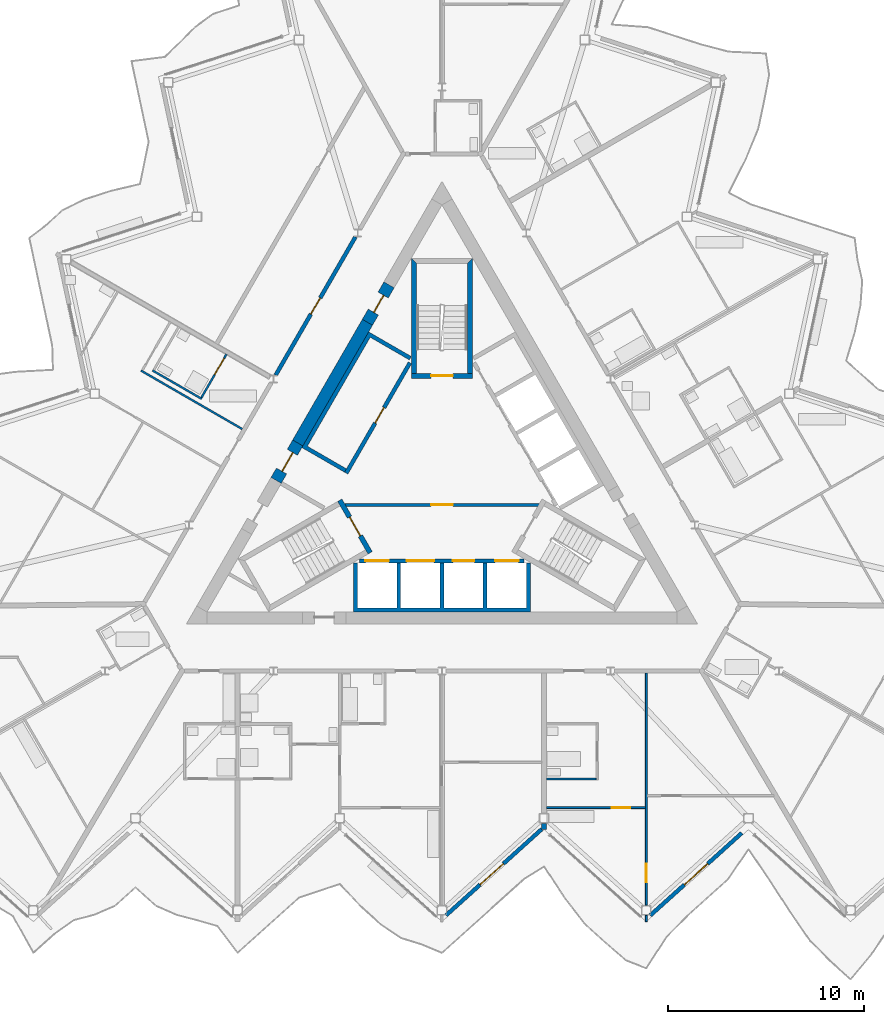
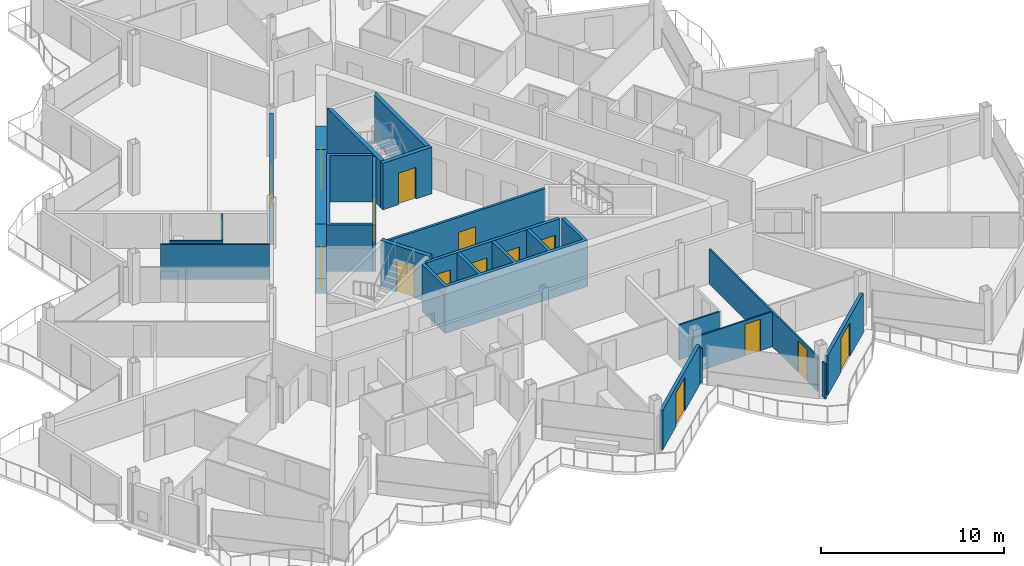
# One storey, part 14 of 26: 23 walls, 16 doors, 16 openings.
"""IFC4 building model written with IfcOpenShell, lengths in metres."""

from ifc_helpers import new_model, si_unit, direction, frame, frame_2d, origin, place, context, subcontext, project, spatial, polyline, rectangle, outline, extrude, material, layer, layer_set, type_object, element, fill, save


model = new_model("IFC4")

# Units and contexts
model_context = context("Model", 3, precision=1e-05, world=origin(), true_north=direction((0.0, 1.0)))
body_context = subcontext(model_context, "Body", "Model", "MODEL_VIEW")
ifc_project = project(units=[si_unit("LENGTHUNIT", "METRE"), si_unit("AREAUNIT", "SQUARE_METRE"), si_unit("VOLUMEUNIT", "CUBIC_METRE"), si_unit("PLANEANGLEUNIT", "RADIAN"), si_unit("MASSUNIT", "GRAM", prefix="KILO")], contexts=[model_context])

# Site, building, storey
site_placement = place(None, origin())
site = spatial("IfcSite", under=ifc_project, at=site_placement, CompositionType="ELEMENT")
building_placement = place(site_placement, origin())
building = spatial("IfcBuilding", under=site, at=building_placement, Name="Cormorant Prow Tower", CompositionType="ELEMENT")
storey_placement = place(building_placement, frame((0.0, 0.0, 371.199951171875)))
storey = spatial("IfcBuildingStorey", under=building, at=storey_placement, Name="L83", CompositionType="ELEMENT", Elevation=371.199951171875)

# Wall, opening, door
ifc_material_1 = material(Name="Gypsum board partition")
ifc_layer_1 = layer(ifc_material_1, 0.14990234375)
ifc_layer_set_1 = layer_set([ifc_layer_1], Name="Gypsum board partition")
wall_type_1 = type_object("IfcWallType", Name="Core partition 150", PredefinedType="PARTITIONING", material=ifc_layer_set_1)
wall_1_placement = place(storey_placement, frame((-4.941162109375, -1.449951171875, 0.0), z_axis=(0.0, 0.0, 1.0), x_axis=(1.0, 0.0, 0.0)))
wall_1 = element("IfcWall", 1, at=wall_1_placement, inside=storey, type_object=wall_type_1, Name="Firefighting lobby partition", PredefinedType="PARTITIONING", context=body_context, shape_type="SweptSolid", body=[
    extrude(rectangle(XDim=9.88232421875, YDim=0.14990234375, at=frame_2d((4.941162109375, 0.0))), origin(), (0.0, 0.0, 1.0), 3.10009765625),
])
opening_1_placement = place(wall_1_placement, frame((4.39111328125, 0.0, 0.0)))
opening_1 = element("IfcOpeningElement", 2, at=opening_1_placement, cuts=wall_1, Name="Opening L83-C10", PredefinedType="OPENING", context=body_context, shape_type="SweptSolid", body=[
    extrude(rectangle(XDim=1.10009765625, YDim=2.10009765625, at=frame_2d((0.550048828125, 1.050048828125))), frame((0.0, 0.0849609375, 0.0), z_axis=(0.0, -1.0, 0.0), x_axis=(1.0, 0.0, 0.0)), (0.0, 0.0, 1.0), 0.169921875),
])
ifc_material_2 = material(Name="Painted steel", Category="steel")
door_type_1 = type_object("IfcDoorType", Name="Firefighting lobby door 1100x2100", OperationType="NOTDEFINED", PredefinedType="DOOR", material=ifc_material_2)
door_1_placement = place(opening_1_placement, origin())
door_1 = element("IfcDoor", 3, at=door_1_placement, inside=storey, type_object=door_type_1, Name="Firefighting lobby door", OperationType="SINGLE_SWING_RIGHT", OverallHeight=2.10009765625, OverallWidth=1.10009765625, PredefinedType="DOOR", context=body_context, shape_type="SweptSolid", body=[
    extrude(rectangle(XDim=1.10009765625, YDim=2.10009765625, at=frame_2d((0.550048828125, 1.050048828125))), frame((0.0, 0.02490234375, 0.0), z_axis=(0.0, -1.0, 0.0), x_axis=(1.0, 0.0, 0.0)), (0.0, 0.0, 1.0), 0.050048828125),
])
fill(opening_1, door_1)

# Wall
ifc_material_3 = material(Name="Concrete 8000 psi", Category="concrete")
ifc_layer_2 = layer(ifc_material_3, 0.60009765625)
ifc_layer_set_2 = layer_set([ifc_layer_2], Name="Concrete 8000 psi")
wall_type_2 = type_object("IfcWallType", Name="Core shear wall 600", PredefinedType="SHEAR", material=ifc_layer_set_2)
wall_2_placement = place(storey_placement, frame((-3.794189453125, 7.839599609375, 0.0), z_axis=(0.0, 0.0, 1.0), x_axis=(-0.499974747889, -0.866039982607, 0.0)))
element("IfcWall", 4, at=wall_2_placement, inside=storey, type_object=wall_type_2, Name="Core wall", PredefinedType="SHEAR", context=body_context, shape_type="SweptSolid", body=[
    extrude(rectangle(XDim=7.092041015625, YDim=0.60009765625, at=frame_2d((3.5458984375, 0.0))), origin(), (0.0, 0.0, 1.0), 3.10009765625),
])

# Wall, opening, door
wall_3_placement = place(storey_placement, frame((-2.694091796875, 9.744873046875, 0.0), z_axis=(0.0, 0.0, 1.0), x_axis=(-0.50002983664, -0.866008176907, 0.0)))
wall_3 = element("IfcWall", 5, at=wall_3_placement, inside=storey, type_object=wall_type_2, Name="Core wall door panel", PredefinedType="SHEAR", context=body_context, shape_type="SweptSolid", body=[
    extrude(rectangle(XDim=2.199951171875, YDim=0.60009765625, at=frame_2d((1.10009765625, 0.0))), origin(), (0.0, 0.0, 1.0), 3.10009765625),
])
opening_2_placement = place(wall_3_placement, frame((0.60009765625, 0.0, 0.0)))
opening_2 = element("IfcOpeningElement", 6, at=opening_2_placement, cuts=wall_3, Name="Opening L83-C17", PredefinedType="OPENING", context=body_context, shape_type="SweptSolid", body=[
    extrude(rectangle(XDim=1.0, YDim=2.10009765625, at=frame_2d((0.5, 1.050048828125))), frame((0.0, 0.31005859375, 0.0), z_axis=(0.0, -1.0, 0.0), x_axis=(1.0, 0.0, 0.0)), (0.0, 0.0, 1.0), 0.6201171875),
])
ifc_material_4 = material(Name="Painted steel", Category="steel")
door_type_2 = type_object("IfcDoorType", Name="Service door 1000x2100", OperationType="NOTDEFINED", PredefinedType="DOOR", material=ifc_material_4)
door_2_placement = place(opening_2_placement, origin())
door_2 = element("IfcDoor", 7, at=door_2_placement, inside=storey, type_object=door_type_2, Name="Core door, Refuse store", OperationType="SINGLE_SWING_LEFT", OverallHeight=2.10009765625, OverallWidth=1.0, PredefinedType="DOOR", context=body_context, shape_type="SweptSolid", body=[
    extrude(rectangle(XDim=1.0, YDim=2.10009765625, at=frame_2d((0.5, 1.050048828125))), frame((0.0, 0.05517578125, 0.0), z_axis=(0.0, -1.0, 0.0), x_axis=(1.0, 0.0, 0.0)), (0.0, 0.0, 1.0), 0.050048828125),
])
fill(opening_2, door_2)

wall_4_placement = place(storey_placement, frame((-7.340087890625, 1.697509765625, 0.0), z_axis=(0.0, 0.0, 1.0), x_axis=(-0.50002983664, -0.866008176907, 0.0)))
wall_4 = element("IfcWall", 8, at=wall_4_placement, inside=storey, type_object=wall_type_2, Name="Core wall door panel", PredefinedType="SHEAR", context=body_context, shape_type="SweptSolid", body=[
    extrude(rectangle(XDim=2.199951171875, YDim=0.60009765625, at=frame_2d((1.10009765625, 0.0))), origin(), (0.0, 0.0, 1.0), 3.10009765625),
])
opening_3_placement = place(wall_4_placement, frame((0.550048828125, 0.0, 0.0)))
opening_3 = element("IfcOpeningElement", 9, at=opening_3_placement, cuts=wall_4, Name="Opening L83-C18", PredefinedType="OPENING", context=body_context, shape_type="SweptSolid", body=[
    extrude(rectangle(XDim=1.10009765625, YDim=2.10009765625, at=frame_2d((0.550048828125, 1.050048828125))), frame((0.0, 0.31005859375, 0.0), z_axis=(0.0, -1.0, 0.0), x_axis=(1.0, 0.0, 0.0)), (0.0, 0.0, 1.0), 0.6201171875),
])
ifc_material_5 = material(Name="Painted steel", Category="steel")
door_type_3 = type_object("IfcDoorType", Name="Core door 1100x2100", OperationType="NOTDEFINED", PredefinedType="DOOR", material=ifc_material_5)
door_3_placement = place(opening_3_placement, origin())
door_3 = element("IfcDoor", 10, at=door_3_placement, inside=storey, type_object=door_type_3, Name="Core door, lift lobby", OperationType="SINGLE_SWING_RIGHT", OverallHeight=2.10009765625, OverallWidth=1.10009765625, PredefinedType="DOOR", context=body_context, shape_type="SweptSolid", body=[
    extrude(rectangle(XDim=1.10009765625, YDim=2.10009765625, at=frame_2d((0.550048828125, 1.050048828125))), frame((0.0, 0.05517578125, 0.0), z_axis=(0.0, -1.0, 0.0), x_axis=(1.0, 0.0, 0.0)), (0.0, 0.0, 1.0), 0.050048828125),
])
fill(opening_3, door_3)

ifc_material_6 = material(Name="Gypsum board corridor wall")
ifc_layer_3 = layer(ifc_material_6, 0.199951171875)
ifc_layer_set_3 = layer_set([ifc_layer_3], Name="Gypsum board corridor wall")
wall_type_3 = type_object("IfcWallType", Name="Corridor wall 200", PredefinedType="PARTITIONING", material=ifc_layer_set_3)
wall_5_placement = place(storey_placement, frame((-8.464599609375, 5.14990234375, 0.0), z_axis=(0.0, 0.0, 1.0), x_axis=(0.499992155518, 0.866029932751, 0.0)))
wall_5 = element("IfcWall", 11, at=wall_5_placement, inside=storey, type_object=wall_type_3, Name="Corridor wall", PredefinedType="PARTITIONING", context=body_context, shape_type="SweptSolid", body=[
    extrude(rectangle(XDim=8.123291015625, YDim=0.199951171875, at=frame_2d((4.0615234375, 0.0))), origin(), (0.0, 0.0, 1.0), 3.10009765625),
])
opening_4_placement = place(wall_5_placement, frame((3.586669921875, 0.0, 0.0)))
opening_4 = element("IfcOpeningElement", 12, at=opening_4_placement, cuts=wall_5, Name="Opening L83-F43", PredefinedType="OPENING", context=body_context, shape_type="SweptSolid", body=[
    extrude(rectangle(XDim=0.949951171875, YDim=2.10009765625, at=frame_2d((0.47509765625, 1.050048828125))), frame((0.0, 0.10986328125, 0.0), z_axis=(0.0, -1.0, 0.0), x_axis=(1.0, 0.0, 0.0)), (0.0, 0.0, 1.0), 0.219970703125),
])
ifc_material_7 = material(Name="Timber door leaf", Category="wood")
door_type_4 = type_object("IfcDoorType", Name="Store door 950x2100", OperationType="NOTDEFINED", PredefinedType="DOOR", material=ifc_material_7)
door_4_placement = place(opening_4_placement, origin())
door_4 = element("IfcDoor", 13, at=door_4_placement, inside=storey, type_object=door_type_4, Name="Bicycle store door", OperationType="SINGLE_SWING_RIGHT", OverallHeight=2.10009765625, OverallWidth=0.949951171875, PredefinedType="DOOR", context=body_context, shape_type="SweptSolid", body=[
    extrude(rectangle(XDim=0.949951171875, YDim=2.10009765625, at=frame_2d((0.47509765625, 1.050048828125))), frame((0.0, 0.02490234375, 0.0), z_axis=(0.0, -1.0, 0.0), x_axis=(1.0, 0.0, 0.0)), (0.0, 0.0, 1.0), 0.050048828125),
])
fill(opening_4, door_4)

ifc_material_8 = material(Name="Gypsum board partition")
ifc_layer_4 = layer(ifc_material_8, 0.10009765625)
ifc_layer_set_4 = layer_set([ifc_layer_4], Name="Gypsum board partition")
wall_type_4 = type_object("IfcWallType", Name="Internal partition 100", PredefinedType="PARTITIONING", material=ifc_layer_set_4)
wall_6_placement = place(storey_placement, frame((10.39990234375, -21.827880859375, 0.0), z_axis=(0.0, 0.0, 1.0), x_axis=(0.0, 1.0, 0.0)))
wall_6 = element("IfcWall", 14, at=wall_6_placement, inside=storey, type_object=wall_type_4, Name="Internal partition", PredefinedType="PARTITIONING", context=body_context, shape_type="SweptSolid", body=[
    extrude(rectangle(XDim=11.822265625, YDim=0.10009765625, at=frame_2d((5.9111328125, 0.0))), origin(), (0.0, 0.0, 1.0), 2.330078125),
])
opening_5_placement = place(wall_6_placement, frame((1.15625, 0.0, 0.0)))
opening_5 = element("IfcOpeningElement", 15, at=opening_5_placement, cuts=wall_6, Name="Opening L83-F14", PredefinedType="OPENING", context=body_context, shape_type="SweptSolid", body=[
    extrude(rectangle(XDim=0.949951171875, YDim=2.10009765625, at=frame_2d((0.47509765625, 1.050048828125))), frame((0.0, 0.06005859375, 0.0), z_axis=(0.0, -1.0, 0.0), x_axis=(1.0, 0.0, 0.0)), (0.0, 0.0, 1.0), 0.1201171875),
])
ifc_material_9 = material(Name="Timber door leaf", Category="wood")
door_type_5 = type_object("IfcDoorType", Name="Bathroom door 950x2100", OperationType="NOTDEFINED", PredefinedType="DOOR", material=ifc_material_9)
door_5_placement = place(opening_5_placement, origin())
door_5 = element("IfcDoor", 16, at=door_5_placement, inside=storey, type_object=door_type_5, Name="Kitchen door", OperationType="SINGLE_SWING_RIGHT", OverallHeight=2.10009765625, OverallWidth=0.949951171875, PredefinedType="DOOR", context=body_context, shape_type="SweptSolid", body=[
    extrude(rectangle(XDim=0.949951171875, YDim=2.10009765625, at=frame_2d((0.47509765625, 1.050048828125))), frame((0.0, 0.02490234375, 0.0), z_axis=(0.0, -1.0, 0.0), x_axis=(1.0, 0.0, 0.0)), (0.0, 0.0, 1.0), 0.050048828125),
])
fill(opening_5, door_5)

# Wall
wall_7_placement = place(storey_placement, frame((-15.31787109375, 5.379638671875, 0.0), z_axis=(0.0, 0.0, 1.0), x_axis=(0.866035260786, -0.499982926783, 0.0)))
element("IfcWall", 17, at=wall_7_placement, inside=storey, type_object=wall_type_4, Name="Internal partition", PredefinedType="PARTITIONING", context=body_context, shape_type="SweptSolid", body=[
    extrude(rectangle(XDim=5.949951171875, YDim=0.10009765625, at=frame_2d((2.97509765625, 0.0))), origin(), (0.0, 0.0, 1.0), 2.330078125),
])

# Wall, opening, door
wall_8_placement = place(storey_placement, frame((5.324951171875, -16.863037109375, 0.0), z_axis=(0.0, 0.0, 1.0), x_axis=(1.0, 0.0, 0.0)))
wall_8 = element("IfcWall", 18, at=wall_8_placement, inside=storey, type_object=wall_type_4, Name="Internal partition", PredefinedType="PARTITIONING", context=body_context, shape_type="SweptSolid", body=[
    extrude(rectangle(XDim=5.025146484375, YDim=0.10009765625, at=frame_2d((2.5126953125, 0.0))), origin(), (0.0, 0.0, 1.0), 2.330078125),
])
opening_6_placement = place(wall_8_placement, frame((3.314208984375, 0.0, 0.0)))
opening_6 = element("IfcOpeningElement", 19, at=opening_6_placement, cuts=wall_8, Name="Opening L83-F13", PredefinedType="OPENING", context=body_context, shape_type="SweptSolid", body=[
    extrude(rectangle(XDim=0.949951171875, YDim=2.10009765625, at=frame_2d((0.47509765625, 1.050048828125))), frame((0.0, 0.06005859375, 0.0), z_axis=(0.0, -1.0, 0.0), x_axis=(1.0, 0.0, 0.0)), (0.0, 0.0, 1.0), 0.1201171875),
])
door_6_placement = place(opening_6_placement, origin())
door_6 = element("IfcDoor", 20, at=door_6_placement, inside=storey, type_object=door_type_5, Name="Living room door", OperationType="SINGLE_SWING_RIGHT", OverallHeight=2.10009765625, OverallWidth=0.949951171875, PredefinedType="DOOR", context=body_context, shape_type="SweptSolid", body=[
    extrude(rectangle(XDim=0.949951171875, YDim=2.10009765625, at=frame_2d((0.47509765625, 1.050048828125))), frame((0.0, 0.02490234375, 0.0), z_axis=(0.0, -1.0, 0.0), x_axis=(1.0, 0.0, 0.0)), (0.0, 0.0, 1.0), 0.050048828125),
])
fill(opening_6, door_6)

# Walls
wall_9_placement = place(storey_placement, frame((-14.73486328125, 5.389404296875, 0.0), z_axis=(0.0, 0.0, 1.0), x_axis=(0.866032775405, -0.499987231761, 0.0)))
element("IfcWall", 21, at=wall_9_placement, inside=storey, type_object=wall_type_4, Name="Internal partition", PredefinedType="PARTITIONING", context=body_context, shape_type="SweptSolid", body=[
    extrude(rectangle(XDim=2.89990234375, YDim=0.10009765625, at=frame_2d((1.449951171875, 0.0))), origin(), (0.0, 0.0, 1.0), 2.330078125),
])
wall_10_placement = place(storey_placement, frame((5.324951171875, -15.405517578125, 0.0), z_axis=(0.0, 0.0, 1.0), x_axis=(1.0, 0.0, 0.0)))
element("IfcWall", 22, at=wall_10_placement, inside=storey, type_object=wall_type_4, Name="Internal partition", PredefinedType="PARTITIONING", context=body_context, shape_type="SweptSolid", body=[
    extrude(rectangle(XDim=2.525146484375, YDim=0.10009765625, at=frame_2d((1.2626953125, 0.0))), origin(), (0.0, 0.0, 1.0), 2.330078125),
])

# Wall, opening, door
wall_11_placement = place(storey_placement, frame((-12.24169921875, 4.0078125, 0.0), z_axis=(0.0, 0.0, 1.0), x_axis=(0.499948979701, 0.866054858364, 0.0)))
wall_11 = element("IfcWall", 23, at=wall_11_placement, inside=storey, type_object=wall_type_4, Name="Internal partition", PredefinedType="PARTITIONING", context=body_context, shape_type="SweptSolid", body=[
    extrude(rectangle(XDim=2.550048828125, YDim=0.10009765625, at=frame_2d((1.27490234375, 0.0))), origin(), (0.0, 0.0, 1.0), 2.330078125),
])
opening_7_placement = place(wall_11_placement, frame((1.35009765625, 0.0, 0.0)))
opening_7 = element("IfcOpeningElement", 24, at=opening_7_placement, cuts=wall_11, Name="Opening L83-F52", PredefinedType="OPENING", context=body_context, shape_type="SweptSolid", body=[
    extrude(rectangle(XDim=0.949951171875, YDim=2.10009765625, at=frame_2d((0.47509765625, 1.050048828125))), frame((0.0, 0.06005859375, 0.0), z_axis=(0.0, -1.0, 0.0), x_axis=(1.0, 0.0, 0.0)), (0.0, 0.0, 1.0), 0.1201171875),
])
door_7_placement = place(opening_7_placement, origin())
door_7 = element("IfcDoor", 25, at=door_7_placement, inside=storey, type_object=door_type_5, Name="Kitchen door", OperationType="SINGLE_SWING_RIGHT", OverallHeight=2.10009765625, OverallWidth=0.949951171875, PredefinedType="DOOR", context=body_context, shape_type="SweptSolid", body=[
    extrude(rectangle(XDim=0.949951171875, YDim=2.10009765625, at=frame_2d((0.47509765625, 1.050048828125))), frame((0.0, 0.02490234375, 0.0), z_axis=(0.0, -1.0, 0.0), x_axis=(1.0, 0.0, 0.0)), (0.0, 0.0, 1.0), 0.050048828125),
])
fill(opening_7, door_7)

# Wall
wall_12_placement = place(storey_placement, frame((10.39990234375, -22.66552734375, 0.0), z_axis=(0.0, 0.0, 1.0), x_axis=(0.0, 1.0, 0.0)))
element("IfcWall", 26, at=wall_12_placement, inside=storey, type_object=wall_type_4, Name="Internal partition", PredefinedType="PARTITIONING", context=body_context, shape_type="SweptSolid", body=[
    extrude(rectangle(XDim=0.317626953125, YDim=0.10009765625, at=frame_2d((0.15869140625, 0.0))), origin(), (0.0, 0.0, 1.0), 2.330078125),
])

# Wall, openings, doors
ifc_material_10 = material(Name="Concrete 5000 psi", Category="concrete")
ifc_layer_5 = layer(ifc_material_10, 0.199951171875)
ifc_layer_set_5 = layer_set([ifc_layer_5], Name="Concrete 5000 psi")
wall_type_5 = type_object("IfcWallType", Name="Lift lobby wall 200", PredefinedType="SOLIDWALL", material=ifc_layer_set_5)
wall_13_placement = place(storey_placement, frame((-4.1865234375, -4.300048828125, 0.0), z_axis=(0.0, 0.0, 1.0), x_axis=(1.0, 0.0, 0.0)))
wall_13 = element("IfcWall", 27, at=wall_13_placement, inside=storey, type_object=wall_type_5, Name="Lift lobby wall, S block", PredefinedType="SOLIDWALL", context=body_context, shape_type="SweptSolid", body=[
    extrude(rectangle(XDim=8.373046875, YDim=0.199951171875, at=frame_2d((4.1865234375, 0.0))), origin(), (0.0, 0.0, 1.0), 3.10009765625),
])
opening_8_placement = place(wall_13_placement, frame((0.28662109375, 0.0, 0.0)))
opening_8 = element("IfcOpeningElement", 28, at=opening_8_placement, cuts=wall_13, Name="Opening L83-C01", PredefinedType="OPENING", context=body_context, shape_type="SweptSolid", body=[
    extrude(rectangle(XDim=1.199951171875, YDim=2.10009765625, at=frame_2d((0.60009765625, 1.050048828125))), frame((0.0, 0.10986328125, 0.0), z_axis=(0.0, -1.0, 0.0), x_axis=(1.0, 0.0, 0.0)), (0.0, 0.0, 1.0), 0.219970703125),
])
opening_9_placement = place(wall_13_placement, frame((2.38671875, 0.0, 0.0)))
opening_9 = element("IfcOpeningElement", 29, at=opening_9_placement, cuts=wall_13, Name="Opening L83-C02", PredefinedType="OPENING", context=body_context, shape_type="SweptSolid", body=[
    extrude(rectangle(XDim=1.39990234375, YDim=2.10009765625, at=frame_2d((0.699951171875, 1.050048828125))), frame((0.0, 0.10986328125, 0.0), z_axis=(0.0, -1.0, 0.0), x_axis=(1.0, 0.0, 0.0)), (0.0, 0.0, 1.0), 0.219970703125),
])
opening_10_placement = place(wall_13_placement, frame((4.736572265625, 0.0, 0.0)))
opening_10 = element("IfcOpeningElement", 30, at=opening_10_placement, cuts=wall_13, Name="Opening L83-C03", PredefinedType="OPENING", context=body_context, shape_type="SweptSolid", body=[
    extrude(rectangle(XDim=1.10009765625, YDim=2.10009765625, at=frame_2d((0.550048828125, 1.050048828125))), frame((0.0, 0.10986328125, 0.0), z_axis=(0.0, -1.0, 0.0), x_axis=(1.0, 0.0, 0.0)), (0.0, 0.0, 1.0), 0.219970703125),
])
opening_11_placement = place(wall_13_placement, frame((6.88671875, 0.0, 0.0)))
opening_11 = element("IfcOpeningElement", 31, at=opening_11_placement, cuts=wall_13, Name="Opening L83-C04", PredefinedType="OPENING", context=body_context, shape_type="SweptSolid", body=[
    extrude(rectangle(XDim=1.199951171875, YDim=2.10009765625, at=frame_2d((0.60009765625, 1.050048828125))), frame((0.0, 0.10986328125, 0.0), z_axis=(0.0, -1.0, 0.0), x_axis=(1.0, 0.0, 0.0)), (0.0, 0.0, 1.0), 0.219970703125),
])
ifc_material_11 = material(Name="Painted steel", Category="steel")
door_type_6 = type_object("IfcDoorType", Name="Firefighting lift landing door 1200x2100", OperationType="SLIDING_TO_LEFT", PredefinedType="DOOR", material=ifc_material_11)
door_8_placement = place(opening_8_placement, origin())
door_8 = element("IfcDoor", 32, at=door_8_placement, inside=storey, type_object=door_type_6, Name="Landing door FL1", OperationType="SLIDING_TO_LEFT", OverallHeight=2.10009765625, OverallWidth=1.199951171875, PredefinedType="DOOR", context=body_context, shape_type="SweptSolid", body=[
    extrude(rectangle(XDim=1.199951171875, YDim=2.10009765625, at=frame_2d((0.60009765625, 1.050048828125))), frame((0.0, 0.02490234375, 0.0), z_axis=(0.0, -1.0, 0.0), x_axis=(1.0, 0.0, 0.0)), (0.0, 0.0, 1.0), 0.050048828125),
])
fill(opening_8, door_8)
door_9_placement = place(opening_11_placement, origin())
door_9 = element("IfcDoor", 33, at=door_9_placement, inside=storey, type_object=door_type_6, Name="Landing door FL2", OperationType="SLIDING_TO_LEFT", OverallHeight=2.10009765625, OverallWidth=1.199951171875, PredefinedType="DOOR", context=body_context, shape_type="SweptSolid", body=[
    extrude(rectangle(XDim=1.199951171875, YDim=2.10009765625, at=frame_2d((0.60009765625, 1.050048828125))), frame((0.0, 0.02490234375, 0.0), z_axis=(0.0, -1.0, 0.0), x_axis=(1.0, 0.0, 0.0)), (0.0, 0.0, 1.0), 0.050048828125),
])
fill(opening_11, door_9)
ifc_material_12 = material(Name="Painted steel", Category="steel")
door_type_7 = type_object("IfcDoorType", Name="Lift landing door 1100x2100", OperationType="SLIDING_TO_LEFT", PredefinedType="DOOR", material=ifc_material_12)
door_10_placement = place(opening_10_placement, origin())
door_10 = element("IfcDoor", 34, at=door_10_placement, inside=storey, type_object=door_type_7, Name="Landing door HR1", OperationType="SLIDING_TO_LEFT", OverallHeight=2.10009765625, OverallWidth=1.10009765625, PredefinedType="DOOR", context=body_context, shape_type="SweptSolid", body=[
    extrude(rectangle(XDim=1.10009765625, YDim=2.10009765625, at=frame_2d((0.550048828125, 1.050048828125))), frame((0.0, 0.02490234375, 0.0), z_axis=(0.0, -1.0, 0.0), x_axis=(1.0, 0.0, 0.0)), (0.0, 0.0, 1.0), 0.050048828125),
])
fill(opening_10, door_10)
ifc_material_13 = material(Name="Painted steel", Category="steel")
door_type_8 = type_object("IfcDoorType", Name="Service lift landing door 1400x2100", OperationType="SLIDING_TO_LEFT", PredefinedType="DOOR", material=ifc_material_13)
door_11_placement = place(opening_9_placement, origin())
door_11 = element("IfcDoor", 35, at=door_11_placement, inside=storey, type_object=door_type_8, Name="Landing door SL1", OperationType="SLIDING_TO_LEFT", OverallHeight=2.10009765625, OverallWidth=1.39990234375, PredefinedType="DOOR", context=body_context, shape_type="SweptSolid", body=[
    extrude(rectangle(XDim=1.39990234375, YDim=2.10009765625, at=frame_2d((0.699951171875, 1.050048828125))), frame((0.0, 0.02490234375, 0.0), z_axis=(0.0, -1.0, 0.0), x_axis=(1.0, 0.0, 0.0)), (0.0, 0.0, 1.0), 0.050048828125),
])
fill(opening_9, door_11)

# Wall, opening, door
wall_14_placement = place(storey_placement, frame((-1.630615234375, 5.775634765625, 0.0), z_axis=(0.0, 0.0, 1.0), x_axis=(-0.499992876559, -0.866029516466, 0.0)))
wall_14 = element("IfcWall", 36, at=wall_14_placement, inside=storey, type_object=wall_type_5, Name="Lift lobby wall, WNW block", PredefinedType="SOLIDWALL", context=body_context, shape_type="SweptSolid", body=[
    extrude(rectangle(XDim=6.486328125, YDim=0.199951171875, at=frame_2d((3.2431640625, 0.0))), origin(), (0.0, 0.0, 1.0), 3.10009765625),
])
opening_12_placement = place(wall_14_placement, frame((2.63671875, 0.0, 0.0)))
opening_12 = element("IfcOpeningElement", 37, at=opening_12_placement, cuts=wall_14, Name="Opening L83-C09", PredefinedType="OPENING", context=body_context, shape_type="SweptSolid", body=[
    extrude(rectangle(XDim=0.89990234375, YDim=2.10009765625, at=frame_2d((0.449951171875, 1.050048828125))), frame((0.0, 0.10986328125, 0.0), z_axis=(0.0, -1.0, 0.0), x_axis=(1.0, 0.0, 0.0)), (0.0, 0.0, 1.0), 0.219970703125),
])
ifc_material_14 = material(Name="Painted steel", Category="steel")
door_type_9 = type_object("IfcDoorType", Name="Service door 900x2100", OperationType="NOTDEFINED", PredefinedType="DOOR", material=ifc_material_14)
door_12_placement = place(opening_12_placement, origin())
door_12 = element("IfcDoor", 38, at=door_12_placement, inside=storey, type_object=door_type_9, Name="Service door, Housekeeping store", OperationType="SINGLE_SWING_RIGHT", OverallHeight=2.10009765625, OverallWidth=0.89990234375, PredefinedType="DOOR", context=body_context, shape_type="SweptSolid", body=[
    extrude(rectangle(XDim=0.89990234375, YDim=2.10009765625, at=frame_2d((0.449951171875, 1.050048828125))), frame((0.0, 0.02490234375, 0.0), z_axis=(0.0, -1.0, 0.0), x_axis=(1.0, 0.0, 0.0)), (0.0, 0.0, 1.0), 0.050048828125),
])
fill(opening_12, door_12)

# Walls
ifc_material_15 = material(Name="Concrete 8000 psi", Category="concrete")
ifc_layer_6 = layer(ifc_material_15, 0.199951171875)
ifc_layer_set_6 = layer_set([ifc_layer_6], Name="Concrete 8000 psi")
wall_type_6 = type_object("IfcWallType", Name="Lift shaft wall 200", PredefinedType="SHEAR", material=ifc_layer_set_6)
wall_15_placement = place(storey_placement, origin())
element("IfcWall", 39, at=wall_15_placement, inside=storey, type_object=wall_type_6, Name="Lift shaft walls, S block", PredefinedType="SHEAR", context=body_context, shape_type="SweptSolid", body=[
    extrude(outline(polyline([(4.5, -4.39990234375), (4.5, -6.906005859375), (-4.5, -6.906005859375), (-4.5, -4.39990234375), (-4.300048828125, -4.39990234375), (-4.300048828125, -6.699951171875), (-2.300048828125, -6.699951171875), (-2.300048828125, -4.39990234375), (-2.10009765625, -4.39990234375), (-2.10009765625, -6.699951171875), (-0.10009765625, -6.699951171875), (-0.10009765625, -4.39990234375), (0.10009765625, -4.39990234375), (0.10009765625, -6.699951171875), (2.10009765625, -6.699951171875), (2.10009765625, -4.39990234375), (2.300048828125, -4.39990234375), (2.300048828125, -6.699951171875), (4.300048828125, -6.699951171875), (4.300048828125, -4.39990234375), (4.5, -4.39990234375)])), origin(), (0.0, 0.0, 1.0), 3.10009765625),
])
wall_16_placement = place(storey_placement, origin())
element("IfcWall", 40, at=wall_16_placement, inside=storey, type_object=wall_type_6, Name="Lift shaft walls, WNW block", PredefinedType="SHEAR", context=body_context, shape_type="SweptSolid", body=[
    extrude(outline(polyline([(-4.96044921875, 0.2080078125), (-7.130859375, 1.461181640625), (-3.730712890625, 7.35009765625), (-1.560546875, 6.09716796875), (-1.660400390625, 5.923828125), (-3.65234375, 7.073974609375), (-6.852294921875, 1.53125), (-4.860595703125, 0.38134765625), (-4.96044921875, 0.2080078125)])), origin(), (0.0, 0.0, 1.0), 3.10009765625),
])

# Wall, opening, door
ifc_material_16 = material(Name="Concrete 8000 psi", Category="concrete")
ifc_layer_7 = layer(ifc_material_16, 0.25)
ifc_layer_set_7 = layer_set([ifc_layer_7], Name="Concrete 8000 psi")
wall_type_7 = type_object("IfcWallType", Name="Stair wall 250", PredefinedType="SHEAR", material=ifc_layer_set_7)
wall_17_placement = place(storey_placement, frame((-5.198974609375, -1.21875, 0.0), z_axis=(0.0, 0.0, 1.0), x_axis=(0.499982516597, -0.866035497597, 0.0)))
wall_17 = element("IfcWall", 41, at=wall_17_placement, inside=storey, type_object=wall_type_7, Name="Stair ST1 door wall", PredefinedType="SHEAR", context=body_context, shape_type="SweptSolid", body=[
    extrude(rectangle(XDim=3.087890625, YDim=0.25, at=frame_2d((1.5439453125, 0.0))), origin(), (0.0, 0.0, 1.0), 3.10009765625),
])
opening_13_placement = place(wall_17_placement, frame((0.993896484375, 0.0, 0.0)))
opening_13 = element("IfcOpeningElement", 42, at=opening_13_placement, cuts=wall_17, Name="Opening L83-C11", PredefinedType="OPENING", context=body_context, shape_type="SweptSolid", body=[
    extrude(rectangle(XDim=1.10009765625, YDim=2.10009765625, at=frame_2d((0.550048828125, 1.050048828125))), frame((0.0, 0.135009765625, 0.0), z_axis=(0.0, -1.0, 0.0), x_axis=(1.0, 0.0, 0.0)), (0.0, 0.0, 1.0), 0.27001953125),
])
ifc_material_17 = material(Name="Painted steel", Category="steel")
door_type_10 = type_object("IfcDoorType", Name="Stair door 1100x2100", OperationType="NOTDEFINED", PredefinedType="DOOR", material=ifc_material_17)
door_13_placement = place(opening_13_placement, origin())
door_13 = element("IfcDoor", 43, at=door_13_placement, inside=storey, type_object=door_type_10, Name="Stair ST1 door", OperationType="SINGLE_SWING_LEFT", OverallHeight=2.10009765625, OverallWidth=1.10009765625, PredefinedType="DOOR", context=body_context, shape_type="SweptSolid", body=[
    extrude(rectangle(XDim=1.10009765625, YDim=2.10009765625, at=frame_2d((0.550048828125, 1.050048828125))), frame((0.0, 0.02490234375, 0.0), z_axis=(0.0, -1.0, 0.0), x_axis=(1.0, 0.0, 0.0)), (0.0, 0.0, 1.0), 0.050048828125),
])
fill(opening_13, door_13)

# Walls
wall_18_placement = place(storey_placement, origin())
element("IfcWall", 44, at=wall_18_placement, inside=storey, type_object=wall_type_7, Name="Stair ST3 enclosure wall (flank)", PredefinedType="SHEAR", context=body_context, shape_type="SweptSolid", body=[
    extrude(outline(polyline([(1.5439453125, 5.23681640625), (1.5439453125, 11.0869140625), (1.2939453125, 10.8369140625), (1.2939453125, 5.23681640625), (1.5439453125, 5.23681640625)])), origin(), (0.0, 0.0, 1.0), 3.10009765625),
])
wall_19_placement = place(storey_placement, origin())
element("IfcWall", 45, at=wall_19_placement, inside=storey, type_object=wall_type_7, Name="Stair ST3 enclosure wall (flank)", PredefinedType="SHEAR", context=body_context, shape_type="SweptSolid", body=[
    extrude(outline(polyline([(-1.2939453125, 10.8369140625), (-1.5439453125, 11.0869140625), (-1.5439453125, 5.23681640625), (-1.2939453125, 5.23681640625), (-1.2939453125, 10.8369140625)])), origin(), (0.0, 0.0, 1.0), 3.10009765625),
])

# Wall, opening, door
wall_20_placement = place(storey_placement, frame((1.5439453125, 5.11181640625, 0.0), z_axis=(0.0, 0.0, 1.0), x_axis=(-1.0, 0.0, 0.0)))
wall_20 = element("IfcWall", 46, at=wall_20_placement, inside=storey, type_object=wall_type_7, Name="Stair ST3 door wall", PredefinedType="SHEAR", context=body_context, shape_type="SweptSolid", body=[
    extrude(rectangle(XDim=3.087890625, YDim=0.25, at=frame_2d((1.5439453125, 0.0))), origin(), (0.0, 0.0, 1.0), 3.10009765625),
])
opening_14_placement = place(wall_20_placement, frame((0.993896484375, 0.0, 0.0)))
opening_14 = element("IfcOpeningElement", 47, at=opening_14_placement, cuts=wall_20, Name="Opening L83-C13", PredefinedType="OPENING", context=body_context, shape_type="SweptSolid", body=[
    extrude(rectangle(XDim=1.10009765625, YDim=2.10009765625, at=frame_2d((0.550048828125, 1.050048828125))), frame((0.0, 0.135009765625, 0.0), z_axis=(0.0, -1.0, 0.0), x_axis=(1.0, 0.0, 0.0)), (0.0, 0.0, 1.0), 0.27001953125),
])
door_14_placement = place(opening_14_placement, origin())
door_14 = element("IfcDoor", 48, at=door_14_placement, inside=storey, type_object=door_type_10, Name="Stair ST3 door", OperationType="SINGLE_SWING_RIGHT", OverallHeight=2.10009765625, OverallWidth=1.10009765625, PredefinedType="DOOR", context=body_context, shape_type="SweptSolid", body=[
    extrude(rectangle(XDim=1.10009765625, YDim=2.10009765625, at=frame_2d((0.550048828125, 1.050048828125))), frame((0.0, 0.02490234375, 0.0), z_axis=(0.0, -1.0, 0.0), x_axis=(1.0, 0.0, 0.0)), (0.0, 0.0, 1.0), 0.050048828125),
])
fill(opening_14, door_14)

# Wall
ifc_material_18 = material(Name="Acoustic gypsum party wall")
ifc_layer_8 = layer(ifc_material_18, 0.25)
ifc_layer_set_8 = layer_set([ifc_layer_8], Name="Acoustic gypsum party wall")
wall_type_8 = type_object("IfcWallType", Name="Suite party wall 250", PredefinedType="PARTITIONING", material=ifc_layer_set_8)
wall_21_placement = place(storey_placement, frame((5.199951171875, -17.9833984375, 0.0), z_axis=(0.0, 0.0, 1.0), x_axis=(0.0, 1.0, 0.0)))
element("IfcWall", 49, at=wall_21_placement, inside=storey, type_object=wall_type_8, Name="Suite party wall", PredefinedType="PARTITIONING", context=body_context, shape_type="SweptSolid", body=[
    extrude(rectangle(XDim=0.317626953125, YDim=0.25, at=frame_2d((0.15869140625, 0.0))), origin(), (0.0, 0.0, 1.0), 2.330078125),
])

# Wall, opening, door
ifc_material_19 = material(Name="Terracotta", Category="masonry")
ifc_layer_9 = layer(ifc_material_19, 0.199951171875)
ifc_layer_set_9 = layer_set([ifc_layer_9], Name="Terracotta")
wall_type_9 = type_object("IfcWallType", Name="Terracotta jamb wall 200", PredefinedType="SOLIDWALL", material=ifc_layer_set_9)
wall_22_placement = place(storey_placement, frame((0.205078125, -22.346435546875, 0.0), z_axis=(0.0, 0.0, 1.0), x_axis=(0.74313295916, 0.669143785004, 0.0)))
wall_22 = element("IfcWall", 50, at=wall_22_placement, inside=storey, type_object=wall_type_9, Name="Terracotta jamb wall S05", PredefinedType="SOLIDWALL", context=body_context, shape_type="SweptSolid", body=[
    extrude(rectangle(XDim=6.55322265625, YDim=0.199951171875, at=frame_2d((3.276611328125, 0.0))), origin(), (0.0, 0.0, 1.0), 2.634033203125),
])
opening_15_placement = place(wall_22_placement, frame((2.332763671875, 0.0, 0.0)))
opening_15 = element("IfcOpeningElement", 51, at=opening_15_placement, cuts=wall_22, Name="Opening ED83.03", PredefinedType="OPENING", context=body_context, shape_type="SweptSolid", body=[
    extrude(rectangle(XDim=1.60009765625, YDim=2.25, at=frame_2d((0.800048828125, 1.125))), frame((0.0, 0.10986328125, 0.0), z_axis=(0.0, -1.0, 0.0), x_axis=(1.0, 0.0, 0.0)), (0.0, 0.0, 1.0), 0.219970703125),
])
ifc_material_20 = material(Name="Aluminium 6063-T6", Category="aluminium")
door_type_11 = type_object("IfcDoorType", Name="Balcony door 1600x2250", OperationType="DOUBLE_DOOR_SINGLE_SWING", PredefinedType="DOOR", material=ifc_material_20)
door_15_placement = place(opening_15_placement, origin())
door_15 = element("IfcDoor", 52, at=door_15_placement, inside=storey, type_object=door_type_11, Name="Balcony door S05 ED83.03", OperationType="DOUBLE_DOOR_SINGLE_SWING", OverallHeight=2.25, OverallWidth=1.60009765625, PredefinedType="DOOR", context=body_context, shape_type="SweptSolid", body=[
    extrude(rectangle(XDim=1.60009765625, YDim=2.25, at=frame_2d((0.800048828125, 1.125))), frame((0.0, 0.02490234375, 0.0), z_axis=(0.0, -1.0, 0.0), x_axis=(1.0, 0.0, 0.0)), (0.0, 0.0, 1.0), 0.050048828125),
])
fill(opening_15, door_15)

wall_23_placement = place(storey_placement, frame((10.60498046875, -22.346435546875, 0.0), z_axis=(0.0, 0.0, 1.0), x_axis=(0.743137181878, 0.669139095339, 0.0)))
wall_23 = element("IfcWall", 53, at=wall_23_placement, inside=storey, type_object=wall_type_9, Name="Terracotta jamb wall S07", PredefinedType="SOLIDWALL", context=body_context, shape_type="SweptSolid", body=[
    extrude(rectangle(XDim=6.265380859375, YDim=0.199951171875, at=frame_2d((3.1328125, 0.0))), origin(), (0.0, 0.0, 1.0), 2.634033203125),
])
opening_16_placement = place(wall_23_placement, frame((2.332763671875, 0.0, 0.0)))
opening_16 = element("IfcOpeningElement", 54, at=opening_16_placement, cuts=wall_23, Name="Opening ED83.04", PredefinedType="OPENING", context=body_context, shape_type="SweptSolid", body=[
    extrude(rectangle(XDim=1.60009765625, YDim=2.25, at=frame_2d((0.800048828125, 1.125))), frame((0.0, 0.10986328125, 0.0), z_axis=(0.0, -1.0, 0.0), x_axis=(1.0, 0.0, 0.0)), (0.0, 0.0, 1.0), 0.219970703125),
])
door_16_placement = place(opening_16_placement, origin())
door_16 = element("IfcDoor", 55, at=door_16_placement, inside=storey, type_object=door_type_11, Name="Balcony door S07 ED83.04", OperationType="DOUBLE_DOOR_SINGLE_SWING", OverallHeight=2.25, OverallWidth=1.60009765625, PredefinedType="DOOR", context=body_context, shape_type="SweptSolid", body=[
    extrude(rectangle(XDim=1.60009765625, YDim=2.25, at=frame_2d((0.800048828125, 1.125))), frame((0.0, 0.02490234375, 0.0), z_axis=(0.0, -1.0, 0.0), x_axis=(1.0, 0.0, 0.0)), (0.0, 0.0, 1.0), 0.050048828125),
])
fill(opening_16, door_16)

save(model, "model.ifc")
